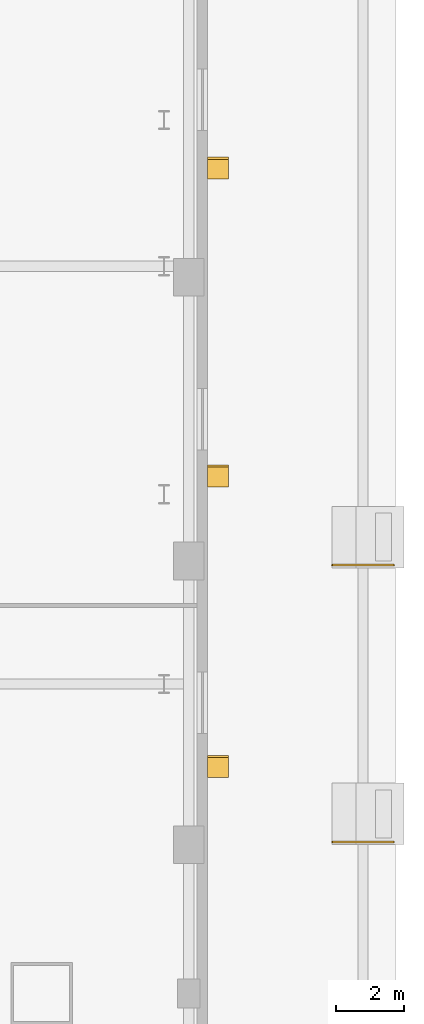
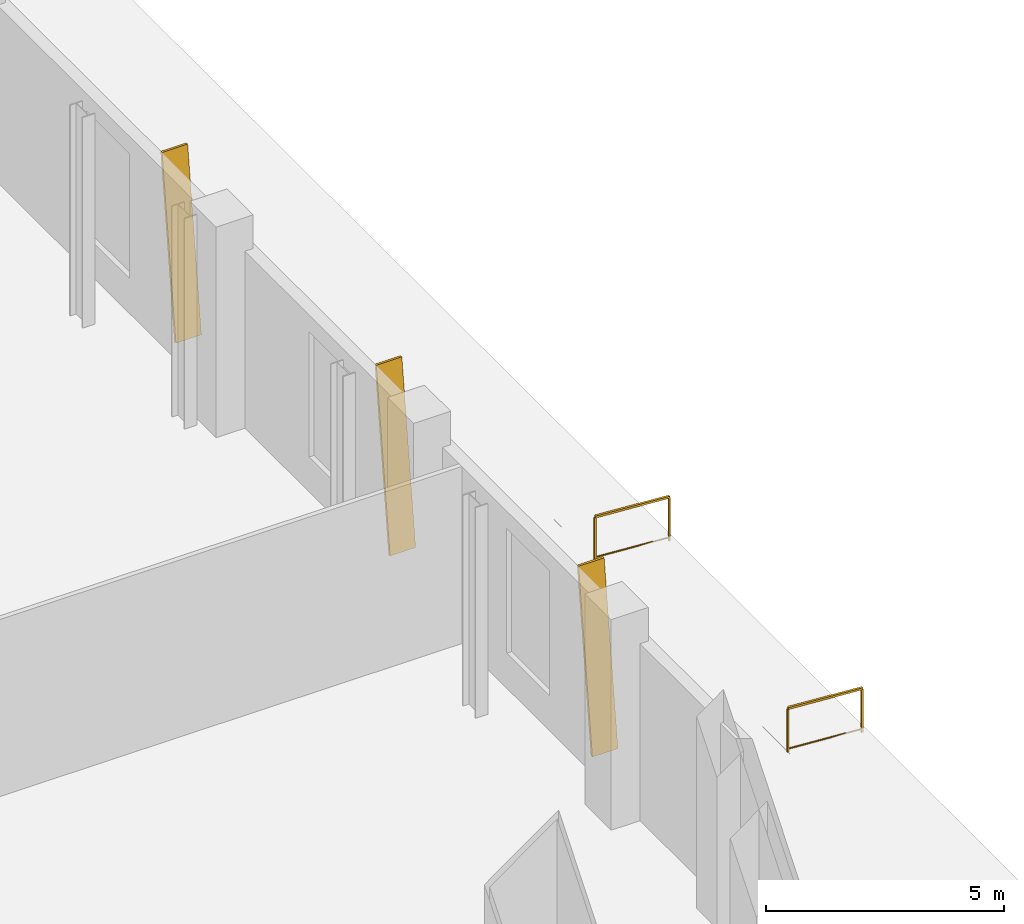
# One storey, part 15 of 16: 3 shading devices, 2 railings, 2 elements without a shape of their own.
"""IFC4 building model written with IfcOpenShell, lengths in metres."""

from ifc_helpers import new_model, si_unit, direction, frame, origin, origin_2d, place, context, subcontext, project, spatial, polyline, rectangle, outline, extrude, material, layer, layer_set, type_object, element, aggregate, save


model = new_model("IFC4")

# Units and contexts
model_context = context("Model", 3, precision=1e-05, world=origin(), true_north=direction((0.0, 1.0)))
body_context = subcontext(model_context, "Body", "Model", "MODEL_VIEW")
ifc_project = project(units=[si_unit("LENGTHUNIT", "METRE"), si_unit("AREAUNIT", "SQUARE_METRE"), si_unit("VOLUMEUNIT", "CUBIC_METRE"), si_unit("PLANEANGLEUNIT", "RADIAN"), si_unit("MASSUNIT", "GRAM", prefix="KILO")], contexts=[model_context])

# Site, building, storey
site_placement = place(None, origin())
site = spatial("IfcSite", under=ifc_project, at=site_placement, CompositionType="ELEMENT")
building_placement = place(site_placement, origin())
building = spatial("IfcBuilding", under=site, at=building_placement, Name="Khoronbel Lancet Exchange", CompositionType="ELEMENT")
storey_placement = place(building_placement, origin())
storey = spatial("IfcBuildingStorey", under=building, at=storey_placement, Name="L00", CompositionType="ELEMENT", Elevation=0.0)

# Ramp, railing
ifc_material_1 = material(Name="Concrete C40/50", Category="concrete")
ramp_type = type_object("IfcRampType", Name="RMP-PED", PredefinedType="STRAIGHT_RUN_RAMP", material=ifc_material_1)
ramp_1_placement = place(storey_placement, origin())
ramp_1 = element("IfcRamp", 1, at=ramp_1_placement, inside=storey, type_object=ramp_type, Name="Plaza step-free accessible entrance ramp R2", PredefinedType="STRAIGHT_RUN_RAMP")
ifc_material_2 = material(Name="Bronze-Anodised Stainless Steel", Category="steel")
railing_type = type_object("IfcRailingType", Name="RL-EXT115", PredefinedType="GUARDRAIL", material=ifc_material_2)
railing_1_placement = place(storey_placement, frame((78.35009765625, 14.580078125, -0.1201171875)))
railing_1 = element("IfcRailing", 2, at=railing_1_placement, type_object=railing_type, Name="Plaza accessible ramp guardrail R2", PredefinedType="GUARDRAIL", context=body_context, shape_type="SweptSolid", body=[
    extrude(rectangle(XDim=0.052001953125, YDim=0.052001953125, at=origin_2d()), frame((0.0, 0.0, 1.1240234375), z_axis=(-0.997780964268, 0.0, 0.0665818845), x_axis=(0.0, -1.0, 0.0)), (0.0, 0.0, 1.0), 1.803955078125),
    extrude(rectangle(XDim=0.02587890625, YDim=0.02587890625, at=origin_2d()), frame((0.0, 0.0, 0.080078125), z_axis=(-0.997780964268, 0.0, 0.0665818845), x_axis=(0.0, -1.0, 0.0)), (0.0, 0.0, 1.0), 1.803955078125),
    extrude(rectangle(XDim=0.0419921875, YDim=0.0419921875, at=origin_2d()), origin(), (0.0, 0.0, 1.0), 1.097900390625),
    extrude(rectangle(XDim=0.0419921875, YDim=0.0419921875, at=origin_2d()), frame((-1.800048828125, 0.0, 0.1201171875)), (0.0, 0.0, 1.0), 1.097900390625),
])
aggregate(ramp_1, [railing_1])

ramp_2_placement = place(storey_placement, origin())
ramp_2 = element("IfcRamp", 3, at=ramp_2_placement, inside=storey, type_object=ramp_type, Name="Plaza step-free accessible entrance ramp R3", PredefinedType="STRAIGHT_RUN_RAMP")
railing_2_placement = place(storey_placement, frame((78.35009765625, 22.679931640625, -0.1201171875)))
railing_2 = element("IfcRailing", 4, at=railing_2_placement, type_object=railing_type, Name="Plaza accessible ramp guardrail R3", PredefinedType="GUARDRAIL", context=body_context, shape_type="SweptSolid", body=[
    extrude(rectangle(XDim=0.052001953125, YDim=0.052001953125, at=origin_2d()), frame((0.0, 0.0, 1.1240234375), z_axis=(-0.997780964268, 0.0, 0.0665818845), x_axis=(0.0, -1.0, 0.0)), (0.0, 0.0, 1.0), 1.803955078125),
    extrude(rectangle(XDim=0.02587890625, YDim=0.02587890625, at=origin_2d()), frame((0.0, 0.0, 0.080078125), z_axis=(-0.997780964268, 0.0, 0.0665818845), x_axis=(0.0, -1.0, 0.0)), (0.0, 0.0, 1.0), 1.803955078125),
    extrude(rectangle(XDim=0.0419921875, YDim=0.0419921875, at=origin_2d()), origin(), (0.0, 0.0, 1.0), 1.097900390625),
    extrude(rectangle(XDim=0.0419921875, YDim=0.0419921875, at=origin_2d()), frame((-1.800048828125, 0.0, 0.1201171875)), (0.0, 0.0, 1.0), 1.097900390625),
])
aggregate(ramp_2, [railing_2])

# Shading devices
ifc_material_3 = material(Name="Bronze-Anodised Aluminium 6063-T6", Category="aluminium")
ifc_layer = layer(ifc_material_3, 0.06494140625, Name="Bronze-Anodised Aluminium 6063-T6")
ifc_layer_set = layer_set([ifc_layer], Name="Bronze-Anodised Aluminium 6063-T6")
shading_device_type = type_object("IfcShadingDeviceType", Name="SHD-FIN2", PredefinedType="USERDEFINED", material=ifc_layer_set)
for number, where, z_axis, x_axis, name in (
    (5, (72.89990234375, 16.469970703125, 0.0), (0.0, -0.991936088007, 0.126739091477), (1.0, 0.0, 0.0), "Podium colonnade slanted bronze fin E1"),
    (6, (72.89990234375, 24.969970703125, 0.0), (0.0, -0.991936088007, 0.126739091477), (1.0, 0.0, 0.0), "Podium colonnade slanted bronze fin E2"),
    (7, (72.89990234375, 33.969970703125, 0.0), (0.0, -0.991936088007, 0.126739091477), (1.0, 0.0, 0.0), "Podium colonnade slanted bronze fin E3"),
):
    element("IfcShadingDevice", number, at=place(storey_placement, frame(where, z_axis=z_axis, x_axis=x_axis)), inside=storey, type_object=shading_device_type, Name=name, ObjectType="FIN", PredefinedType="USERDEFINED", context=body_context, shape_type="SweptSolid", body=[
        extrude(outline(polyline([(0.0, 0.0), (0.6201171875, 0.0), (0.6201171875, 4.576904296875), (0.0, 4.576904296875), (0.0, 0.0)])), origin(), (0.0, 0.0, -1.0), 0.06494140625),
    ])

save(model, "model.ifc")
